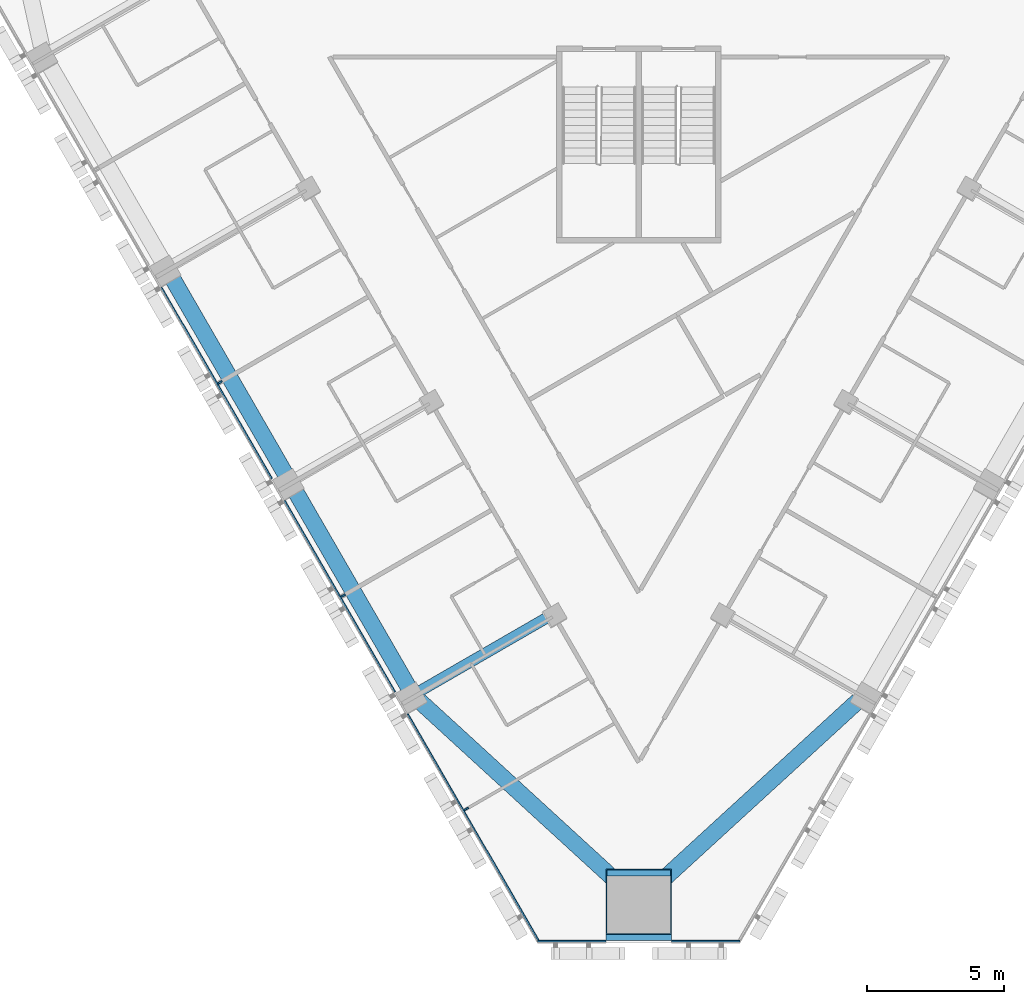
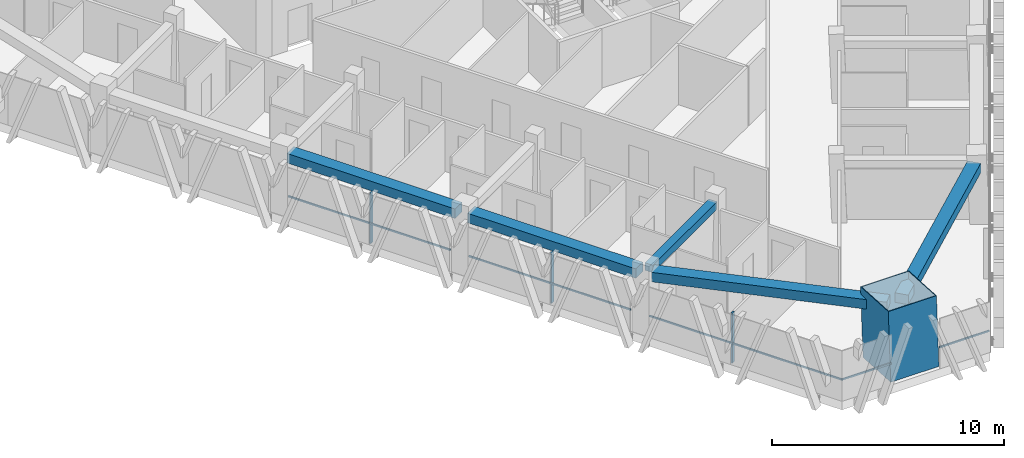
# One storey, part 2 of 16: 9 members, 5 beams, 2 elements without a shape of their own.
"""IFC4 building model written with IfcOpenShell, lengths in metres."""

import ifcopenshell
import ifcopenshell.guid

model = None  # the IFC model being written
_history = None  # IfcOwnerHistory: only IFC2X3 demands one
_inside = {}  # id of a spatial element -> (the spatial element, [elements in it])
_under = {}  # id of a project, library or spatial element -> (it, [spatial elements below it])
_declared = {}  # id of a project -> (the project, [libraries it declares])
_typed = {}  # id of a type object -> (the type object, [elements of that type])
_made_of = {}  # id of a material, layer set ... -> (it, [elements and type objects made of it])


def new_model(schema):
    """Start an empty IFC model of exactly this schema.

    Asked for "IFC4X3", IfcOpenShell would pick the latest addendum, in which some entities
    have other attributes; the version numbers below select the first issue.
    IFC2X3 requires an IfcOwnerHistory on every rooted entity: one is made here for all.
    """
    global model, _history
    if schema == "IFC4X3":
        model = ifcopenshell.file(schema_version=(4, 3, 0, 0))
    else:
        model = ifcopenshell.file(schema=schema)
    _inside.clear()
    _under.clear()
    _declared.clear()
    _typed.clear()
    _made_of.clear()
    _history = None
    if model.schema == "IFC2X3":
        org = make("IfcOrganization", Name="unknown")
        user = make(
            "IfcPersonAndOrganization",
            ThePerson=make("IfcPerson", FamilyName="unknown"),
            TheOrganization=org,
        )
        app = make(
            "IfcApplication",
            ApplicationDeveloper=org,
            Version="unknown",
            ApplicationFullName="unknown",
            ApplicationIdentifier="unknown",
        )
        _history = make(
            "IfcOwnerHistory",
            OwningUser=user,
            OwningApplication=app,
            ChangeAction="ADDED",
            CreationDate=0,
        )
    return model


def make(cls, **values):
    """One entity of the class cls with the attributes given. An attribute that is None is left unset."""
    return model.create_entity(
        cls, **{name: value for name, value in values.items() if value is not None}
    )


def rooted(cls, **values):
    """An entity with a GlobalId (a new one), such as an element, a storey or a relation."""
    return make(cls, GlobalId=ifcopenshell.guid.new(), OwnerHistory=_history, **values)


def si_unit(unit_type, name, prefix=None):
    """IfcSIUnit, for example si_unit("LENGTHUNIT", "METRE", prefix="MILLI")."""
    return make("IfcSIUnit", UnitType=unit_type, Prefix=prefix, Name=name)


def assignment(units):
    """IfcUnitAssignment: the units of a project."""
    return None if units is None else make("IfcUnitAssignment", Units=units)


def point(xyz):
    """IfcCartesianPoint."""
    return None if xyz is None else make("IfcCartesianPoint", Coordinates=xyz)


def direction(xyz):
    """IfcDirection."""
    return None if xyz is None else make("IfcDirection", DirectionRatios=xyz)


def frame(location, z_axis=None, x_axis=None):
    """IfcAxis2Placement3D, a coordinate frame: its origin and axes. An axis left out is left unset."""
    return make(
        "IfcAxis2Placement3D",
        Location=point(location),
        Axis=direction(z_axis),
        RefDirection=direction(x_axis),
    )


def frame_2d(location, x_axis=None):
    """IfcAxis2Placement2D, a coordinate frame in the plane: its origin and x axis."""
    return make(
        "IfcAxis2Placement2D", Location=point(location), RefDirection=direction(x_axis)
    )


def origin():
    """The frame at (0, 0, 0) with its axes left unset."""
    return frame((0.0, 0.0, 0.0))


def origin_2d():
    """The frame at (0, 0) in the plane with its x axis left unset."""
    return frame_2d((0.0, 0.0))


def place(relative_to, where):
    """IfcLocalPlacement: puts the frame where relative to a parent placement (None: the world)."""
    return make(
        "IfcLocalPlacement", PlacementRelTo=relative_to, RelativePlacement=where
    )


def context(
    kind, dimensions, precision=None, world=None, true_north=None, identifier=None
):
    """IfcGeometricRepresentationContext, for example the 3D "Model" context."""
    return make(
        "IfcGeometricRepresentationContext",
        ContextIdentifier=identifier,
        ContextType=kind,
        CoordinateSpaceDimension=dimensions,
        Precision=precision,
        WorldCoordinateSystem=world,
        TrueNorth=true_north,
    )


def subcontext(parent, identifier, kind, view, scale=None):
    """IfcGeometricRepresentationSubContext, for example "Body" below "Model"."""
    return make(
        "IfcGeometricRepresentationSubContext",
        ContextIdentifier=identifier,
        ContextType=kind,
        ParentContext=parent,
        TargetScale=scale,
        TargetView=view,
    )


def project(units=None, contexts=None):
    """IfcProject with its units and contexts."""
    return rooted(
        "IfcProject",
        Name="project",
        RepresentationContexts=contexts,
        UnitsInContext=assignment(units),
    )


def spatial(cls, under=None, at=None, **own):
    """A site, building, storey or space (cls), placed at a placement, below another one or the project."""
    s = rooted(cls, ObjectPlacement=at, **own)
    if under is not None:
        _under.setdefault(under.id(), (under, []))[1].append(s)
    return s


def profile(cls, at=None, kind="AREA", **sizes):
    """A parametric profile (cls). Its sizes go by their IFC names, for example OverallWidth=200.0."""
    return make(cls, ProfileType=kind, Position=at, **sizes)


def rectangle(**sizes):
    """IfcRectangleProfileDef."""
    return profile("IfcRectangleProfileDef", **sizes)


def hollow_rectangle(**sizes):
    """IfcRectangleHollowProfileDef."""
    return profile("IfcRectangleHollowProfileDef", **sizes)


def extrude(swept, where, along, depth):
    """IfcExtrudedAreaSolid: the profile swept, set in the frame where, extruded along a direction by depth."""
    return make(
        "IfcExtrudedAreaSolid",
        SweptArea=swept,
        Position=where,
        ExtrudedDirection=direction(along),
        Depth=depth,
    )


def shape(context_of_items, identifier, shape_type, items):
    """IfcShapeRepresentation: the items that make up one representation, for example the "Body"."""
    return make(
        "IfcShapeRepresentation",
        ContextOfItems=context_of_items,
        RepresentationIdentifier=identifier,
        RepresentationType=shape_type,
        Items=items,
    )


def material(Name=None, Category=None):
    """IfcMaterial."""
    return make("IfcMaterial", Name=Name, Category=Category)


def layer(
    of_material, thickness, ventilated=None, Name=None, Category=None, Priority=None
):
    """IfcMaterialLayer: one layer of a wall or slab, of a material (None: an air gap)."""
    return make(
        "IfcMaterialLayer",
        Material=of_material,
        LayerThickness=thickness,
        IsVentilated=ventilated,
        Name=Name,
        Category=Category,
        Priority=Priority,
    )


def layer_set(layers, Name=None):
    """IfcMaterialLayerSet."""
    return make("IfcMaterialLayerSet", MaterialLayers=layers, LayerSetName=Name)


def material_profile(
    of_material, cross_section, Name=None, Category=None, Priority=None
):
    """IfcMaterialProfile: a cross section and its material."""
    return make(
        "IfcMaterialProfile",
        Name=Name,
        Material=of_material,
        Profile=cross_section,
        Priority=Priority,
        Category=Category,
    )


def profile_set(profiles, Name=None, composite=None):
    """IfcMaterialProfileSet."""
    return make(
        "IfcMaterialProfileSet",
        Name=Name,
        MaterialProfiles=profiles,
        CompositeProfile=composite,
    )


def made_of(thing, what):
    """Note that an element or type object is made of a material, layer set ...; save() writes the relation."""
    if what is not None:
        _made_of.setdefault(what.id(), (what, []))[1].append(thing)
    return thing


def type_object(cls, material=None, **own):
    """A type object (cls), such as IfcWallType, which elements share."""
    return made_of(rooted(cls, **own), material)


def element(
    cls,
    number,
    at=None,
    inside=None,
    cuts=None,
    type_object=None,
    material=None,
    context=None,
    identifier="Body",
    shape_type=None,
    held_by="IfcProductDefinitionShape",
    body=None,
    shapes=None,
    **own,
):
    """One element of the class cls, such as IfcWall. Its Tag is "e" and its number.

    at: its placement. inside: the storey or other place that contains it. cuts: it is an
    opening in that element (IfcRelVoidsElement). A single representation is given by context,
    identifier, shape_type and body (its items); several are given by shapes. held_by: the class
    of the entity that holds the representations. save() writes the other relations.
    """
    e = rooted(cls, Tag="e%d" % number, ObjectPlacement=at, **own)
    if body is not None:
        shapes = [shape(context, identifier, shape_type, body)]
    if shapes is not None:
        e.Representation = make(held_by, Representations=shapes)
    if inside is not None:
        _inside.setdefault(inside.id(), (inside, []))[1].append(e)
    if cuts is not None:
        rooted(
            "IfcRelVoidsElement", RelatingBuildingElement=cuts, RelatedOpeningElement=e
        )
    if type_object is not None:
        _typed.setdefault(type_object.id(), (type_object, []))[1].append(e)
    return made_of(e, material)


def aggregate(whole, parts):
    """IfcRelAggregates: a whole, such as a stair, and the parts it consists of."""
    return rooted("IfcRelAggregates", RelatingObject=whole, RelatedObjects=parts)


def save(model, path):
    """Write the relations noted so far, then the file.

    IfcRelAggregates (storeys below a building ...), IfcRelContainedInSpatialStructure (elements
    in a storey), IfcRelDefinesByType, IfcRelAssociatesMaterial and IfcRelDeclares: one each for
    every whole, place, type object, material and project.
    """
    for whole, parts in _under.values():
        aggregate(whole, parts)
    for where, things in _inside.values():
        rooted(
            "IfcRelContainedInSpatialStructure",
            RelatedElements=things,
            RelatingStructure=where,
        )
    for kind, things in _typed.values():
        rooted("IfcRelDefinesByType", RelatedObjects=things, RelatingType=kind)
    for what, things in _made_of.values():
        rooted("IfcRelAssociatesMaterial", RelatedObjects=things, RelatingMaterial=what)
    for by, libraries in _declared.values():
        rooted("IfcRelDeclares", RelatingContext=by, RelatedDefinitions=libraries)
    model.write(path)


model = new_model("IFC4")

# Units and contexts
model_context = context("Model", 3, precision=1e-05, world=origin(), true_north=direction((0.0, 1.0)))
body_context = subcontext(model_context, "Body", "Model", "MODEL_VIEW")
ifc_project = project(units=[si_unit("LENGTHUNIT", "METRE"), si_unit("AREAUNIT", "SQUARE_METRE"), si_unit("VOLUMEUNIT", "CUBIC_METRE"), si_unit("PLANEANGLEUNIT", "RADIAN"), si_unit("MASSUNIT", "GRAM", prefix="KILO")], contexts=[model_context])

# Site, building, storey
site_placement = place(None, origin())
site = spatial("IfcSite", under=ifc_project, at=site_placement, CompositionType="ELEMENT")
building_placement = place(site_placement, origin())
building = spatial("IfcBuilding", under=site, at=building_placement, Name="Altiplano Prism Tower", CompositionType="ELEMENT")
storey_placement = place(building_placement, frame((0.0, 0.0, 149.39990234375)))
storey = spatial("IfcBuildingStorey", under=building, at=storey_placement, Name="L38", CompositionType="ELEMENT", Elevation=149.39990234375)

# Curtain wall, members
ifc_material_1 = material(Name="Aluminium and glass", Category="aluminium")
ifc_layer = layer(ifc_material_1, 0.280029296875)
ifc_layer_set = layer_set([ifc_layer], Name="Aluminium and glass")
curtain_wall_type = type_object("IfcCurtainWallType", Name="CW1 typical co-living unitised curtain wall", PredefinedType="NOTDEFINED", material=ifc_layer_set)
curtain_wall_1_placement = place(storey_placement, origin())
curtain_wall_1 = element("IfcCurtainWall", 1, at=curtain_wall_1_placement, inside=storey, type_object=curtain_wall_type, Name="CW1 curtain wall south-west face L38", PredefinedType="NOTDEFINED")
ifc_material_2 = material(Name="Aluminium", Category="aluminium")
ifc_material_profile_1 = material_profile(ifc_material_2, rectangle(XDim=0.179931640625, YDim=0.06494140625, at=origin_2d()), Name="CW1 mullion 65 x 180")
ifc_profile_set_1 = profile_set([ifc_material_profile_1], Name="Aluminium")
member_type_1 = type_object("IfcMemberType", Name="CW1 mullion 65 x 180", PredefinedType="MULLION", material=ifc_profile_set_1)
member_1_placement = place(storey_placement, frame((69.69775390625, 78.3056640625, 0.0), z_axis=(0.0, 0.0, 1.0), x_axis=(0.86602540121, 0.500000004459, 0.0)))
member_1 = element("IfcMember", 2, at=member_1_placement, type_object=member_type_1, Name="CW1 mullion", PredefinedType="MULLION", context=body_context, shape_type="SweptSolid", body=[
    extrude(rectangle(XDim=0.179931640625, YDim=0.06494140625, at=origin_2d()), origin(), (0.0, 0.0, 1.0), 2.650146484375),
])
member_2_placement = place(storey_placement, frame((74.19775390625, 70.51123046875, 0.0), z_axis=(0.0, 0.0, 1.0), x_axis=(0.86602540121, 0.500000004459, 0.0)))
member_2 = element("IfcMember", 3, at=member_2_placement, type_object=member_type_1, Name="CW1 mullion", PredefinedType="MULLION", context=body_context, shape_type="SweptSolid", body=[
    extrude(rectangle(XDim=0.179931640625, YDim=0.06494140625, at=origin_2d()), origin(), (0.0, 0.0, 1.0), 2.650146484375),
])
member_3_placement = place(storey_placement, frame((78.69775390625, 62.717041015625, 0.0), z_axis=(0.0, 0.0, 1.0), x_axis=(0.86602540121, 0.500000004459, 0.0)))
member_3 = element("IfcMember", 4, at=member_3_placement, type_object=member_type_1, Name="CW1 mullion", PredefinedType="MULLION", context=body_context, shape_type="SweptSolid", body=[
    extrude(rectangle(XDim=0.179931640625, YDim=0.06494140625, at=origin_2d()), origin(), (0.0, 0.0, 1.0), 2.650146484375),
])
ifc_material_profile_2 = material_profile(ifc_material_2, rectangle(XDim=0.06005859375, YDim=0.080078125, at=origin_2d()), Name="CW1 transom 80 x 60")
ifc_profile_set_2 = profile_set([ifc_material_profile_2], Name="Aluminium")
member_type_2 = type_object("IfcMemberType", Name="CW1 transom 80 x 60", PredefinedType="USERDEFINED", material=ifc_profile_set_2)
member_4_placement = place(storey_placement, frame((67.556640625, 81.774169921875, 1.10009765625), z_axis=(0.499994808408, -0.866028401131, 0.0), x_axis=(0.866028401131, 0.499994808408, 0.0)))
member_4 = element("IfcMember", 5, at=member_4_placement, type_object=member_type_2, Name="CW1 transom", ObjectType="TRANSOM", PredefinedType="USERDEFINED", context=body_context, shape_type="SweptSolid", body=[
    extrude(rectangle(XDim=0.06005859375, YDim=0.080078125, at=origin_2d()), origin(), (0.0, 0.0, 1.0), 8.06982421875),
])
member_5_placement = place(storey_placement, frame((72.056640625, 73.979736328125, 1.10009765625), z_axis=(0.500007908628, -0.866020837688, 0.0), x_axis=(0.866020837688, 0.500007908628, 0.0)))
member_5 = element("IfcMember", 6, at=member_5_placement, type_object=member_type_2, Name="CW1 transom", ObjectType="TRANSOM", PredefinedType="USERDEFINED", context=body_context, shape_type="SweptSolid", body=[
    extrude(rectangle(XDim=0.06005859375, YDim=0.080078125, at=origin_2d()), origin(), (0.0, 0.0, 1.0), 8.069580078125),
])
member_6_placement = place(storey_placement, frame((76.556640625, 66.185546875, 1.10009765625), z_axis=(0.500002037649, -0.866024227344, 0.0), x_axis=(0.866024227344, 0.500002037649, 0.0)))
member_6 = element("IfcMember", 7, at=member_6_placement, type_object=member_type_2, Name="CW1 transom", ObjectType="TRANSOM", PredefinedType="USERDEFINED", context=body_context, shape_type="SweptSolid", body=[
    extrude(rectangle(XDim=0.06005859375, YDim=0.080078125, at=origin_2d()), origin(), (0.0, 0.0, 1.0), 9.625),
])
aggregate(curtain_wall_1, [member_1, member_4, member_2, member_5, member_3, member_6])

curtain_wall_2_placement = place(storey_placement, origin())
curtain_wall_2 = element("IfcCurtainWall", 8, at=curtain_wall_2_placement, inside=storey, type_object=curtain_wall_type, Name="CW1 curtain wall south chamfer L38", PredefinedType="NOTDEFINED")
member_7_placement = place(storey_placement, frame((81.30859375, 57.885009765625, 1.10009765625), z_axis=(1.0, 0.0, 0.0), x_axis=(0.0, 1.0, 0.0)))
member_7 = element("IfcMember", 9, at=member_7_placement, type_object=member_type_2, Name="CW1 transom", ObjectType="TRANSOM", PredefinedType="USERDEFINED", context=body_context, shape_type="SweptSolid", body=[
    extrude(rectangle(XDim=0.06005859375, YDim=0.080078125, at=origin_2d()), origin(), (0.0, 0.0, 1.0), 2.491455078125),
])
member_8_placement = place(storey_placement, frame((86.199951171875, 57.885009765625, 1.10009765625), z_axis=(1.0, 0.0, 0.0), x_axis=(0.0, 1.0, 0.0)))
member_8 = element("IfcMember", 10, at=member_8_placement, type_object=member_type_2, Name="CW1 transom", ObjectType="TRANSOM", PredefinedType="USERDEFINED", context=body_context, shape_type="SweptSolid", body=[
    extrude(rectangle(XDim=0.06005859375, YDim=0.080078125, at=origin_2d()), origin(), (0.0, 0.0, 1.0), 2.491455078125),
])
aggregate(curtain_wall_2, [member_7, member_8])

# Beams
ifc_material_3 = material(Name="Concrete C60/75", Category="concrete")
ifc_material_profile_3 = material_profile(ifc_material_3, rectangle(XDim=0.60009765625, YDim=0.5, at=origin_2d()), Name="Edge beam 600x500")
ifc_profile_set_3 = profile_set([ifc_material_profile_3], Name="Concrete C60/75")
beam_type_1 = type_object("IfcBeamType", Name="Edge beam 600x500", PredefinedType="SPANDREL", material=ifc_profile_set_3)
for number, where, z_axis, x_axis, name in (
    (11, (67.9052734375, 82.20703125, 2.900146484375), (0.500010445942, -0.866019372733, 0.0), (0.866019372733, 0.500010445942, 0.0), "Edge beam P12-P13 L39"),
    (12, (72.4052734375, 74.412841796875, 2.900146484375), (0.500010445942, -0.866019372733, 0.0), (0.866019372733, 0.500010445942, 0.0), "Edge beam P13-P14 L39"),
):
    element("IfcBeam", number, at=place(storey_placement, frame(where, z_axis=z_axis, x_axis=x_axis)), inside=storey, type_object=beam_type_1, Name=name, PredefinedType="SPANDREL", context=body_context, shape_type="SweptSolid", body=[
        extrude(rectangle(XDim=0.60009765625, YDim=0.5, at=origin_2d()), origin(), (0.0, 0.0, 1.0), 8.389892578125),
    ])
for number, where, z_axis, x_axis, name in (
    (13, (76.992919921875, 66.662841796875, 2.900146484375), (0.737261210356, -0.675607806131, 0.0), (0.675607806131, 0.737261210356, 0.0), "Edge beam P14-M1 L39"),
    (14, (85.331787109375, 59.62939453125, 2.900146484375), (0.737261210356, 0.675607806131, 0.0), (-0.675607806131, 0.737261210356, 0.0), "Edge beam M1-P21 L39"),
):
    element("IfcBeam", number, at=place(storey_placement, frame(where, z_axis=z_axis, x_axis=x_axis)), inside=storey, type_object=beam_type_1, Name=name, PredefinedType="SPANDREL", context=body_context, shape_type="SweptSolid", body=[
        extrude(rectangle(XDim=0.60009765625, YDim=0.5, at=origin_2d()), origin(), (0.0, 0.0, 1.0), 10.41064453125),
    ])

# Member
ifc_material_4 = material(Name="Steel S460", Category="steel")
ifc_material_profile_4 = material_profile(ifc_material_4, hollow_rectangle(XDim=2.39990234375, YDim=2.39990234375, WallThickness=0.0400390625, at=origin_2d()), Name="Mega column tube 2400")
ifc_profile_set_4 = profile_set([ifc_material_profile_4], Name="Steel S460")
member_type_3 = type_object("IfcMemberType", Name="Mega column tube 2400", PredefinedType="POST", material=ifc_profile_set_4)
member_9_placement = place(storey_placement, frame((85.0, 59.114990234375, 0.0), z_axis=(0.0, 0.058356907999, 0.998295783467), x_axis=(-1.0, 0.0, 0.0)))
element("IfcMember", 15, at=member_9_placement, inside=storey, type_object=member_type_3, Name="Mega column tube M1 L38", PredefinedType="POST", context=body_context, shape_type="SweptSolid", body=[
    extrude(hollow_rectangle(XDim=2.39990234375, YDim=2.39990234375, WallThickness=0.0400390625, at=origin_2d()), origin(), (0.0, 0.0, 1.0), 3.606201171875),
])

# Beam
ifc_material_profile_5 = material_profile(ifc_material_3, rectangle(XDim=0.39990234375, YDim=0.39990234375, at=origin_2d()), Name="Tie beam 400x400")
ifc_profile_set_5 = profile_set([ifc_material_profile_5], Name="Concrete C60/75")
beam_type_2 = type_object("IfcBeamType", Name="Tie beam 400x400", PredefinedType="BEAM", material=ifc_profile_set_5)
beam_placement = place(storey_placement, frame((81.814697265625, 69.80517578125, 2.9501953125), z_axis=(-0.866027073272, -0.499997108352, 0.0), x_axis=(0.499997108352, -0.866027073272, 0.0)))
element("IfcBeam", 16, at=beam_placement, inside=storey, type_object=beam_type_2, Name="Tie beam I14 L39", PredefinedType="BEAM", context=body_context, shape_type="SweptSolid", body=[
    extrude(rectangle(XDim=0.39990234375, YDim=0.39990234375, at=origin_2d()), origin(), (0.0, 0.0, 1.0), 5.5400390625),
])

save(model, "model.ifc")
